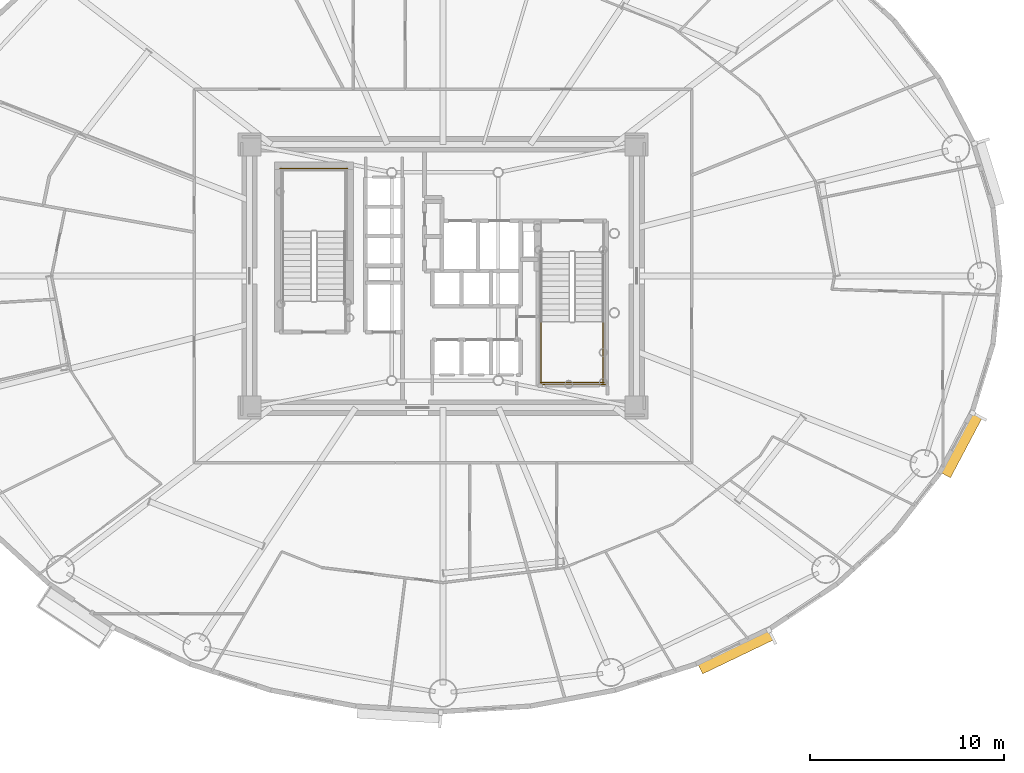
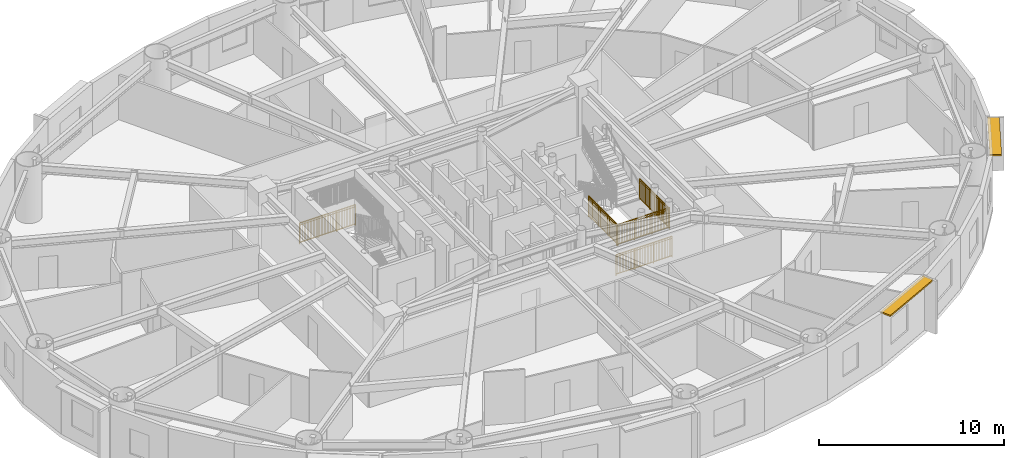
# One storey, part 20 of 22: 5 railings, 2 shading devices.
"""IFC4 building model written with IfcOpenShell, lengths in metres."""

from ifc_helpers import new_model, si_unit, direction, frame, origin, origin_2d, place, context, subcontext, project, spatial, rectangle, extrude, source, transform, mapped, material, layer, layer_set, type_object, element, save


model = new_model("IFC4")

# Units and contexts
model_context = context("Model", 3, precision=1e-05, world=origin(), true_north=direction((0.0, 1.0)))
body_context = subcontext(model_context, "Body", "Model", "MODEL_VIEW")
ifc_project = project(units=[si_unit("LENGTHUNIT", "METRE"), si_unit("AREAUNIT", "SQUARE_METRE"), si_unit("VOLUMEUNIT", "CUBIC_METRE"), si_unit("PLANEANGLEUNIT", "RADIAN"), si_unit("MASSUNIT", "GRAM", prefix="KILO")], contexts=[model_context])

# Site, building, storey
site_placement = place(None, origin())
site = spatial("IfcSite", under=ifc_project, at=site_placement, CompositionType="ELEMENT")
building_placement = place(site_placement, origin())
building = spatial("IfcBuilding", under=site, at=building_placement, Name="Linh Dai School and Residence Tower", CompositionType="ELEMENT")
storey_placement = place(building_placement, frame((0.0, 0.0, 130.949951171875)))
storey = spatial("IfcBuildingStorey", under=building, at=storey_placement, Name="L31", CompositionType="ELEMENT", Elevation=130.949951171875)

# Shading devices
ifc_material_1 = material(Name="Terracotta Ceramic Sunshade", Category="masonry")
ifc_layer = layer(ifc_material_1, 0.10009765625)
ifc_layer_set = layer_set([ifc_layer], Name="Terracotta Ceramic Sunshade")
shading_device_type = type_object("IfcShadingDeviceType", Name="SHD-TC-650", PredefinedType="USERDEFINED", material=ifc_layer_set)
shared_shape_1 = source(origin(), body_context, "Body", "SweptSolid", [
    extrude(rectangle(XDim=4.1005859375, YDim=0.64990234375, at=origin_2d()), origin(), (0.0, 0.0, 1.0), 0.10009765625),
])
shading_device_1_placement = place(storey_placement, frame((51.122802734375, 7.61962890625, 3.3798828125), z_axis=(0.0, 0.0, 1.0), x_axis=(-0.901577518371, -0.432617589064, 0.0)))
element("IfcShadingDevice", 1, at=shading_device_1_placement, inside=storey, type_object=shading_device_type, Name="L31 Terracotta Horizontal Sunshade Band 34", ObjectType="SUNSHADE", PredefinedType="USERDEFINED", context=body_context, shape_type="MappedRepresentation", body=[
    mapped(shared_shape_1, transform((0.0, 0.0, 0.0), x_axis=(1.0, 0.0, 0.0), y_axis=(0.0, 1.0, 0.0), z_axis=(0.0, 0.0, 1.0), scale=1.0)),
])
shared_shape_2 = source(origin(), body_context, "Body", "SweptSolid", [
    extrude(rectangle(XDim=3.541015625, YDim=0.64990234375, at=origin_2d()), origin(), (0.0, 0.0, 1.0), 0.10009765625),
])
shading_device_2_placement = place(storey_placement, frame((62.759521484375, 18.291259765625, 3.3798828125), z_axis=(0.0, 0.0, 1.0), x_axis=(-0.467596217252, -0.883942180016, 0.0)))
element("IfcShadingDevice", 2, at=shading_device_2_placement, inside=storey, type_object=shading_device_type, Name="L31 Terracotta Horizontal Sunshade Band 38", ObjectType="SUNSHADE", PredefinedType="USERDEFINED", context=body_context, shape_type="MappedRepresentation", body=[
    mapped(shared_shape_2, transform((0.0, 0.0, 0.0), x_axis=(1.0, 0.0, 0.0), y_axis=(0.0, 1.0, 0.0), z_axis=(0.0, 0.0, 1.0), scale=1.0)),
])

# Railings
ifc_material_2 = material(Name="Structural Steel S355JR", Category="steel")
railing_type = type_object("IfcRailingType", Name="RL-ST-GUARD-1400", PredefinedType="GUARDRAIL", material=ifc_material_2)
shared_shape_3 = source(origin(), body_context, "Body", "SweptSolid", [
    extrude(rectangle(XDim=0.048095703125, YDim=0.048095703125, at=origin_2d()), frame((0.0, 0.0, 1.3759765625), z_axis=(-1.0, 0.0, 0.0), x_axis=(0.0, -1.0, 0.0)), (0.0, 0.0, 1.0), 3.5),
    extrude(rectangle(XDim=0.048095703125, YDim=0.048095703125, at=origin_2d()), frame((0.0, 0.0, 0.10009765625), z_axis=(-1.0, 0.0, 0.0), x_axis=(0.0, -1.0, 0.0)), (0.0, 0.0, 1.0), 3.5),
    extrude(rectangle(XDim=0.030029296875, YDim=0.030029296875, at=origin_2d()), frame((0.0, 0.0, 1.239990234375), z_axis=(-1.0, 0.0, 0.0), x_axis=(0.0, -1.0, 0.0)), (0.0, 0.0, 1.0), 3.5),
    extrude(rectangle(XDim=0.02001953125, YDim=0.02001953125, at=origin_2d()), frame((-0.09716796875, 0.0, 0.10009765625)), (0.0, 0.0, 1.0), 1.251708984375),
    extrude(rectangle(XDim=0.02001953125, YDim=0.02001953125, at=origin_2d()), frame((-0.1943359375, 0.0, 0.10009765625)), (0.0, 0.0, 1.0), 1.251708984375),
    extrude(rectangle(XDim=0.02001953125, YDim=0.02001953125, at=origin_2d()), frame((-0.291748046875, 0.0, 0.10009765625)), (0.0, 0.0, 1.0), 1.251708984375),
    extrude(rectangle(XDim=0.02001953125, YDim=0.02001953125, at=origin_2d()), frame((-0.388916015625, 0.0, 0.10009765625)), (0.0, 0.0, 1.0), 1.251708984375),
    extrude(rectangle(XDim=0.02001953125, YDim=0.02001953125, at=origin_2d()), frame((-0.486083984375, 0.0, 0.10009765625)), (0.0, 0.0, 1.0), 1.251708984375),
    extrude(rectangle(XDim=0.02001953125, YDim=0.02001953125, at=origin_2d()), frame((-0.583251953125, 0.0, 0.10009765625)), (0.0, 0.0, 1.0), 1.251708984375),
    extrude(rectangle(XDim=0.02001953125, YDim=0.02001953125, at=origin_2d()), frame((-0.6806640625, 0.0, 0.10009765625)), (0.0, 0.0, 1.0), 1.251708984375),
    extrude(rectangle(XDim=0.02001953125, YDim=0.02001953125, at=origin_2d()), frame((-0.77783203125, 0.0, 0.10009765625)), (0.0, 0.0, 1.0), 1.251708984375),
    extrude(rectangle(XDim=0.02001953125, YDim=0.02001953125, at=origin_2d()), frame((-0.875, 0.0, 0.10009765625)), (0.0, 0.0, 1.0), 1.251708984375),
    extrude(rectangle(XDim=0.02001953125, YDim=0.02001953125, at=origin_2d()), frame((-0.97216796875, 0.0, 0.10009765625)), (0.0, 0.0, 1.0), 1.251708984375),
    extrude(rectangle(XDim=0.02001953125, YDim=0.02001953125, at=origin_2d()), frame((-1.0693359375, 0.0, 0.10009765625)), (0.0, 0.0, 1.0), 1.251708984375),
    extrude(rectangle(XDim=0.02001953125, YDim=0.02001953125, at=origin_2d()), frame((-1.263916015625, 0.0, 0.10009765625)), (0.0, 0.0, 1.0), 1.251708984375),
    extrude(rectangle(XDim=0.02001953125, YDim=0.02001953125, at=origin_2d()), frame((-1.361083984375, 0.0, 0.10009765625)), (0.0, 0.0, 1.0), 1.251708984375),
    extrude(rectangle(XDim=0.02001953125, YDim=0.02001953125, at=origin_2d()), frame((-1.458251953125, 0.0, 0.10009765625)), (0.0, 0.0, 1.0), 1.251708984375),
    extrude(rectangle(XDim=0.02001953125, YDim=0.02001953125, at=origin_2d()), frame((-1.5556640625, 0.0, 0.10009765625)), (0.0, 0.0, 1.0), 1.251708984375),
    extrude(rectangle(XDim=0.02001953125, YDim=0.02001953125, at=origin_2d()), frame((-1.65283203125, 0.0, 0.10009765625)), (0.0, 0.0, 1.0), 1.251708984375),
    extrude(rectangle(XDim=0.02001953125, YDim=0.02001953125, at=origin_2d()), frame((-1.75, 0.0, 0.10009765625)), (0.0, 0.0, 1.0), 1.251708984375),
    extrude(rectangle(XDim=0.02001953125, YDim=0.02001953125, at=origin_2d()), frame((-1.84716796875, 0.0, 0.10009765625)), (0.0, 0.0, 1.0), 1.251708984375),
    extrude(rectangle(XDim=0.02001953125, YDim=0.02001953125, at=origin_2d()), frame((-1.9443359375, 0.0, 0.10009765625)), (0.0, 0.0, 1.0), 1.251708984375),
    extrude(rectangle(XDim=0.02001953125, YDim=0.02001953125, at=origin_2d()), frame((-2.041748046875, 0.0, 0.10009765625)), (0.0, 0.0, 1.0), 1.251708984375),
    extrude(rectangle(XDim=0.02001953125, YDim=0.02001953125, at=origin_2d()), frame((-2.138916015625, 0.0, 0.10009765625)), (0.0, 0.0, 1.0), 1.251708984375),
    extrude(rectangle(XDim=0.02001953125, YDim=0.02001953125, at=origin_2d()), frame((-2.236083984375, 0.0, 0.10009765625)), (0.0, 0.0, 1.0), 1.251708984375),
    extrude(rectangle(XDim=0.02001953125, YDim=0.02001953125, at=origin_2d()), frame((-2.4306640625, 0.0, 0.10009765625)), (0.0, 0.0, 1.0), 1.251708984375),
    extrude(rectangle(XDim=0.02001953125, YDim=0.02001953125, at=origin_2d()), frame((-2.52783203125, 0.0, 0.10009765625)), (0.0, 0.0, 1.0), 1.251708984375),
    extrude(rectangle(XDim=0.02001953125, YDim=0.02001953125, at=origin_2d()), frame((-2.625, 0.0, 0.10009765625)), (0.0, 0.0, 1.0), 1.251708984375),
    extrude(rectangle(XDim=0.02001953125, YDim=0.02001953125, at=origin_2d()), frame((-2.72216796875, 0.0, 0.10009765625)), (0.0, 0.0, 1.0), 1.251708984375),
    extrude(rectangle(XDim=0.02001953125, YDim=0.02001953125, at=origin_2d()), frame((-2.8193359375, 0.0, 0.10009765625)), (0.0, 0.0, 1.0), 1.251708984375),
    extrude(rectangle(XDim=0.02001953125, YDim=0.02001953125, at=origin_2d()), frame((-2.916748046875, 0.0, 0.10009765625)), (0.0, 0.0, 1.0), 1.251708984375),
    extrude(rectangle(XDim=0.02001953125, YDim=0.02001953125, at=origin_2d()), frame((-3.013916015625, 0.0, 0.10009765625)), (0.0, 0.0, 1.0), 1.251708984375),
    extrude(rectangle(XDim=0.02001953125, YDim=0.02001953125, at=origin_2d()), frame((-3.111083984375, 0.0, 0.10009765625)), (0.0, 0.0, 1.0), 1.251708984375),
    extrude(rectangle(XDim=0.02001953125, YDim=0.02001953125, at=origin_2d()), frame((-3.208251953125, 0.0, 0.10009765625)), (0.0, 0.0, 1.0), 1.251708984375),
    extrude(rectangle(XDim=0.02001953125, YDim=0.02001953125, at=origin_2d()), frame((-3.3056640625, 0.0, 0.10009765625)), (0.0, 0.0, 1.0), 1.251708984375),
    extrude(rectangle(XDim=0.02001953125, YDim=0.02001953125, at=origin_2d()), frame((-3.40283203125, 0.0, 0.10009765625)), (0.0, 0.0, 1.0), 1.251708984375),
    extrude(rectangle(XDim=0.0419921875, YDim=0.0419921875, at=origin_2d()), origin(), (0.0, 0.0, 1.0), 1.3759765625),
    extrude(rectangle(XDim=0.0419921875, YDim=0.0419921875, at=origin_2d()), frame((-1.166748046875, 0.0, 0.0)), (0.0, 0.0, 1.0), 1.3759765625),
    extrude(rectangle(XDim=0.0419921875, YDim=0.0419921875, at=origin_2d()), frame((-2.333251953125, 0.0, 0.0)), (0.0, 0.0, 1.0), 1.3759765625),
    extrude(rectangle(XDim=0.0419921875, YDim=0.0419921875, at=origin_2d()), frame((-3.5, 0.0, 0.0)), (0.0, 0.0, 1.0), 1.3759765625),
])
railing_1_placement = place(storey_placement, frame((31.080078125, 32.550048828125, 0.0)))
element("IfcRailing", 3, at=railing_1_placement, inside=storey, type_object=railing_type, Name="L31 ST1 stair guard 12", PredefinedType="GUARDRAIL", context=body_context, shape_type="MappedRepresentation", body=[
    mapped(shared_shape_3, transform((0.0, 0.0, 0.0), x_axis=(1.0, 0.0, 0.0), y_axis=(0.0, 1.0, 0.0), z_axis=(0.0, 0.0, 1.0), scale=1.0)),
])
shared_shape_4 = source(origin(), body_context, "Body", "SweptSolid", [
    extrude(rectangle(XDim=0.048095703125, YDim=0.048095703125, at=origin_2d()), frame((0.0, 0.0, 1.3759765625), z_axis=(1.0, 0.0, 0.0), x_axis=(0.0, 1.0, 0.0)), (0.0, 0.0, 1.0), 3.300048828125),
    extrude(rectangle(XDim=0.048095703125, YDim=0.048095703125, at=origin_2d()), frame((0.0, 0.0, 0.10009765625), z_axis=(1.0, 0.0, 0.0), x_axis=(0.0, 1.0, 0.0)), (0.0, 0.0, 1.0), 3.300048828125),
    extrude(rectangle(XDim=0.030029296875, YDim=0.030029296875, at=origin_2d()), frame((0.0, 0.0, 1.239990234375), z_axis=(1.0, 0.0, 0.0), x_axis=(0.0, 1.0, 0.0)), (0.0, 0.0, 1.0), 3.300048828125),
    extrude(rectangle(XDim=0.02001953125, YDim=0.02001953125, at=origin_2d()), frame((0.09716796875, 0.0, 0.10009765625)), (0.0, 0.0, 1.0), 1.251708984375),
    extrude(rectangle(XDim=0.02001953125, YDim=0.02001953125, at=origin_2d()), frame((0.194091796875, 0.0, 0.10009765625)), (0.0, 0.0, 1.0), 1.251708984375),
    extrude(rectangle(XDim=0.02001953125, YDim=0.02001953125, at=origin_2d()), frame((0.291259765625, 0.0, 0.10009765625)), (0.0, 0.0, 1.0), 1.251708984375),
    extrude(rectangle(XDim=0.02001953125, YDim=0.02001953125, at=origin_2d()), frame((0.38818359375, 0.0, 0.10009765625)), (0.0, 0.0, 1.0), 1.251708984375),
    extrude(rectangle(XDim=0.02001953125, YDim=0.02001953125, at=origin_2d()), frame((0.4853515625, 0.0, 0.10009765625)), (0.0, 0.0, 1.0), 1.251708984375),
    extrude(rectangle(XDim=0.02001953125, YDim=0.02001953125, at=origin_2d()), frame((0.582275390625, 0.0, 0.10009765625)), (0.0, 0.0, 1.0), 1.251708984375),
    extrude(rectangle(XDim=0.02001953125, YDim=0.02001953125, at=origin_2d()), frame((0.679443359375, 0.0, 0.10009765625)), (0.0, 0.0, 1.0), 1.251708984375),
    extrude(rectangle(XDim=0.02001953125, YDim=0.02001953125, at=origin_2d()), frame((0.7763671875, 0.0, 0.10009765625)), (0.0, 0.0, 1.0), 1.251708984375),
    extrude(rectangle(XDim=0.02001953125, YDim=0.02001953125, at=origin_2d()), frame((0.87353515625, 0.0, 0.10009765625)), (0.0, 0.0, 1.0), 1.251708984375),
    extrude(rectangle(XDim=0.02001953125, YDim=0.02001953125, at=origin_2d()), frame((0.970703125, 0.0, 0.10009765625)), (0.0, 0.0, 1.0), 1.251708984375),
    extrude(rectangle(XDim=0.02001953125, YDim=0.02001953125, at=origin_2d()), frame((1.164794921875, 0.0, 0.10009765625)), (0.0, 0.0, 1.0), 1.251708984375),
    extrude(rectangle(XDim=0.02001953125, YDim=0.02001953125, at=origin_2d()), frame((1.26171875, 0.0, 0.10009765625)), (0.0, 0.0, 1.0), 1.251708984375),
    extrude(rectangle(XDim=0.02001953125, YDim=0.02001953125, at=origin_2d()), frame((1.35888671875, 0.0, 0.10009765625)), (0.0, 0.0, 1.0), 1.251708984375),
    extrude(rectangle(XDim=0.02001953125, YDim=0.02001953125, at=origin_2d()), frame((1.455810546875, 0.0, 0.10009765625)), (0.0, 0.0, 1.0), 1.251708984375),
    extrude(rectangle(XDim=0.02001953125, YDim=0.02001953125, at=origin_2d()), frame((1.552978515625, 0.0, 0.10009765625)), (0.0, 0.0, 1.0), 1.251708984375),
    extrude(rectangle(XDim=0.02001953125, YDim=0.02001953125, at=origin_2d()), frame((1.64990234375, 0.0, 0.10009765625)), (0.0, 0.0, 1.0), 1.251708984375),
    extrude(rectangle(XDim=0.02001953125, YDim=0.02001953125, at=origin_2d()), frame((1.7470703125, 0.0, 0.10009765625)), (0.0, 0.0, 1.0), 1.251708984375),
    extrude(rectangle(XDim=0.02001953125, YDim=0.02001953125, at=origin_2d()), frame((1.84423828125, 0.0, 0.10009765625)), (0.0, 0.0, 1.0), 1.251708984375),
    extrude(rectangle(XDim=0.02001953125, YDim=0.02001953125, at=origin_2d()), frame((1.941162109375, 0.0, 0.10009765625)), (0.0, 0.0, 1.0), 1.251708984375),
    extrude(rectangle(XDim=0.02001953125, YDim=0.02001953125, at=origin_2d()), frame((2.038330078125, 0.0, 0.10009765625)), (0.0, 0.0, 1.0), 1.251708984375),
    extrude(rectangle(XDim=0.02001953125, YDim=0.02001953125, at=origin_2d()), frame((2.13525390625, 0.0, 0.10009765625)), (0.0, 0.0, 1.0), 1.251708984375),
    extrude(rectangle(XDim=0.02001953125, YDim=0.02001953125, at=origin_2d()), frame((2.329345703125, 0.0, 0.10009765625)), (0.0, 0.0, 1.0), 1.251708984375),
    extrude(rectangle(XDim=0.02001953125, YDim=0.02001953125, at=origin_2d()), frame((2.426513671875, 0.0, 0.10009765625)), (0.0, 0.0, 1.0), 1.251708984375),
    extrude(rectangle(XDim=0.02001953125, YDim=0.02001953125, at=origin_2d()), frame((2.523681640625, 0.0, 0.10009765625)), (0.0, 0.0, 1.0), 1.251708984375),
    extrude(rectangle(XDim=0.02001953125, YDim=0.02001953125, at=origin_2d()), frame((2.62060546875, 0.0, 0.10009765625)), (0.0, 0.0, 1.0), 1.251708984375),
    extrude(rectangle(XDim=0.02001953125, YDim=0.02001953125, at=origin_2d()), frame((2.7177734375, 0.0, 0.10009765625)), (0.0, 0.0, 1.0), 1.251708984375),
    extrude(rectangle(XDim=0.02001953125, YDim=0.02001953125, at=origin_2d()), frame((2.814697265625, 0.0, 0.10009765625)), (0.0, 0.0, 1.0), 1.251708984375),
    extrude(rectangle(XDim=0.02001953125, YDim=0.02001953125, at=origin_2d()), frame((2.911865234375, 0.0, 0.10009765625)), (0.0, 0.0, 1.0), 1.251708984375),
    extrude(rectangle(XDim=0.02001953125, YDim=0.02001953125, at=origin_2d()), frame((3.0087890625, 0.0, 0.10009765625)), (0.0, 0.0, 1.0), 1.251708984375),
    extrude(rectangle(XDim=0.02001953125, YDim=0.02001953125, at=origin_2d()), frame((3.10595703125, 0.0, 0.10009765625)), (0.0, 0.0, 1.0), 1.251708984375),
    extrude(rectangle(XDim=0.02001953125, YDim=0.02001953125, at=origin_2d()), frame((3.202880859375, 0.0, 0.10009765625)), (0.0, 0.0, 1.0), 1.251708984375),
    extrude(rectangle(XDim=0.0419921875, YDim=0.0419921875, at=origin_2d()), origin(), (0.0, 0.0, 1.0), 1.3759765625),
    extrude(rectangle(XDim=0.0419921875, YDim=0.0419921875, at=origin_2d()), frame((1.10009765625, 0.0, 0.0)), (0.0, 0.0, 1.0), 1.3759765625),
    extrude(rectangle(XDim=0.0419921875, YDim=0.0419921875, at=origin_2d()), frame((2.199951171875, 0.0, 0.0)), (0.0, 0.0, 1.0), 1.3759765625),
    extrude(rectangle(XDim=0.0419921875, YDim=0.0419921875, at=origin_2d()), frame((3.300048828125, 0.0, 0.0)), (0.0, 0.0, 1.0), 1.3759765625),
])
railing_2_placement = place(storey_placement, frame((41.02001953125, 21.5, 1.875)))
element("IfcRailing", 4, at=railing_2_placement, inside=storey, type_object=railing_type, Name="L31 ST2 stair guard 5", PredefinedType="GUARDRAIL", context=body_context, shape_type="MappedRepresentation", body=[
    mapped(shared_shape_4, transform((0.0, 0.0, 0.0), x_axis=(1.0, 0.0, 0.0), y_axis=(0.0, 1.0, 0.0), z_axis=(0.0, 0.0, 1.0), scale=1.0)),
])
shared_shape_5 = source(origin(), body_context, "Body", "SweptSolid", [
    extrude(rectangle(XDim=0.048095703125, YDim=0.048095703125, at=origin_2d()), frame((0.0, 0.0, 1.3759765625), z_axis=(1.0, 0.0, 0.0), x_axis=(0.0, 1.0, 0.0)), (0.0, 0.0, 1.0), 3.5),
    extrude(rectangle(XDim=0.048095703125, YDim=0.048095703125, at=origin_2d()), frame((0.0, 0.0, 0.10009765625), z_axis=(1.0, 0.0, 0.0), x_axis=(0.0, 1.0, 0.0)), (0.0, 0.0, 1.0), 3.5),
    extrude(rectangle(XDim=0.030029296875, YDim=0.030029296875, at=origin_2d()), frame((0.0, 0.0, 1.239990234375), z_axis=(1.0, 0.0, 0.0), x_axis=(0.0, 1.0, 0.0)), (0.0, 0.0, 1.0), 3.5),
    extrude(rectangle(XDim=0.02001953125, YDim=0.02001953125, at=origin_2d()), frame((0.09716796875, 0.0, 0.10009765625)), (0.0, 0.0, 1.0), 1.251708984375),
    extrude(rectangle(XDim=0.02001953125, YDim=0.02001953125, at=origin_2d()), frame((0.1943359375, 0.0, 0.10009765625)), (0.0, 0.0, 1.0), 1.251708984375),
    extrude(rectangle(XDim=0.02001953125, YDim=0.02001953125, at=origin_2d()), frame((0.291748046875, 0.0, 0.10009765625)), (0.0, 0.0, 1.0), 1.251708984375),
    extrude(rectangle(XDim=0.02001953125, YDim=0.02001953125, at=origin_2d()), frame((0.388916015625, 0.0, 0.10009765625)), (0.0, 0.0, 1.0), 1.251708984375),
    extrude(rectangle(XDim=0.02001953125, YDim=0.02001953125, at=origin_2d()), frame((0.486083984375, 0.0, 0.10009765625)), (0.0, 0.0, 1.0), 1.251708984375),
    extrude(rectangle(XDim=0.02001953125, YDim=0.02001953125, at=origin_2d()), frame((0.583251953125, 0.0, 0.10009765625)), (0.0, 0.0, 1.0), 1.251708984375),
    extrude(rectangle(XDim=0.02001953125, YDim=0.02001953125, at=origin_2d()), frame((0.6806640625, 0.0, 0.10009765625)), (0.0, 0.0, 1.0), 1.251708984375),
    extrude(rectangle(XDim=0.02001953125, YDim=0.02001953125, at=origin_2d()), frame((0.77783203125, 0.0, 0.10009765625)), (0.0, 0.0, 1.0), 1.251708984375),
    extrude(rectangle(XDim=0.02001953125, YDim=0.02001953125, at=origin_2d()), frame((0.875, 0.0, 0.10009765625)), (0.0, 0.0, 1.0), 1.251708984375),
    extrude(rectangle(XDim=0.02001953125, YDim=0.02001953125, at=origin_2d()), frame((0.97216796875, 0.0, 0.10009765625)), (0.0, 0.0, 1.0), 1.251708984375),
    extrude(rectangle(XDim=0.02001953125, YDim=0.02001953125, at=origin_2d()), frame((1.0693359375, 0.0, 0.10009765625)), (0.0, 0.0, 1.0), 1.251708984375),
    extrude(rectangle(XDim=0.02001953125, YDim=0.02001953125, at=origin_2d()), frame((1.263916015625, 0.0, 0.10009765625)), (0.0, 0.0, 1.0), 1.251708984375),
    extrude(rectangle(XDim=0.02001953125, YDim=0.02001953125, at=origin_2d()), frame((1.361083984375, 0.0, 0.10009765625)), (0.0, 0.0, 1.0), 1.251708984375),
    extrude(rectangle(XDim=0.02001953125, YDim=0.02001953125, at=origin_2d()), frame((1.458251953125, 0.0, 0.10009765625)), (0.0, 0.0, 1.0), 1.251708984375),
    extrude(rectangle(XDim=0.02001953125, YDim=0.02001953125, at=origin_2d()), frame((1.5556640625, 0.0, 0.10009765625)), (0.0, 0.0, 1.0), 1.251708984375),
    extrude(rectangle(XDim=0.02001953125, YDim=0.02001953125, at=origin_2d()), frame((1.65283203125, 0.0, 0.10009765625)), (0.0, 0.0, 1.0), 1.251708984375),
    extrude(rectangle(XDim=0.02001953125, YDim=0.02001953125, at=origin_2d()), frame((1.75, 0.0, 0.10009765625)), (0.0, 0.0, 1.0), 1.251708984375),
    extrude(rectangle(XDim=0.02001953125, YDim=0.02001953125, at=origin_2d()), frame((1.84716796875, 0.0, 0.10009765625)), (0.0, 0.0, 1.0), 1.251708984375),
    extrude(rectangle(XDim=0.02001953125, YDim=0.02001953125, at=origin_2d()), frame((1.9443359375, 0.0, 0.10009765625)), (0.0, 0.0, 1.0), 1.251708984375),
    extrude(rectangle(XDim=0.02001953125, YDim=0.02001953125, at=origin_2d()), frame((2.041748046875, 0.0, 0.10009765625)), (0.0, 0.0, 1.0), 1.251708984375),
    extrude(rectangle(XDim=0.02001953125, YDim=0.02001953125, at=origin_2d()), frame((2.138916015625, 0.0, 0.10009765625)), (0.0, 0.0, 1.0), 1.251708984375),
    extrude(rectangle(XDim=0.02001953125, YDim=0.02001953125, at=origin_2d()), frame((2.236083984375, 0.0, 0.10009765625)), (0.0, 0.0, 1.0), 1.251708984375),
    extrude(rectangle(XDim=0.02001953125, YDim=0.02001953125, at=origin_2d()), frame((2.4306640625, 0.0, 0.10009765625)), (0.0, 0.0, 1.0), 1.251708984375),
    extrude(rectangle(XDim=0.02001953125, YDim=0.02001953125, at=origin_2d()), frame((2.52783203125, 0.0, 0.10009765625)), (0.0, 0.0, 1.0), 1.251708984375),
    extrude(rectangle(XDim=0.02001953125, YDim=0.02001953125, at=origin_2d()), frame((2.625, 0.0, 0.10009765625)), (0.0, 0.0, 1.0), 1.251708984375),
    extrude(rectangle(XDim=0.02001953125, YDim=0.02001953125, at=origin_2d()), frame((2.72216796875, 0.0, 0.10009765625)), (0.0, 0.0, 1.0), 1.251708984375),
    extrude(rectangle(XDim=0.02001953125, YDim=0.02001953125, at=origin_2d()), frame((2.8193359375, 0.0, 0.10009765625)), (0.0, 0.0, 1.0), 1.251708984375),
    extrude(rectangle(XDim=0.02001953125, YDim=0.02001953125, at=origin_2d()), frame((2.916748046875, 0.0, 0.10009765625)), (0.0, 0.0, 1.0), 1.251708984375),
    extrude(rectangle(XDim=0.02001953125, YDim=0.02001953125, at=origin_2d()), frame((3.013916015625, 0.0, 0.10009765625)), (0.0, 0.0, 1.0), 1.251708984375),
    extrude(rectangle(XDim=0.02001953125, YDim=0.02001953125, at=origin_2d()), frame((3.111083984375, 0.0, 0.10009765625)), (0.0, 0.0, 1.0), 1.251708984375),
    extrude(rectangle(XDim=0.02001953125, YDim=0.02001953125, at=origin_2d()), frame((3.208251953125, 0.0, 0.10009765625)), (0.0, 0.0, 1.0), 1.251708984375),
    extrude(rectangle(XDim=0.02001953125, YDim=0.02001953125, at=origin_2d()), frame((3.3056640625, 0.0, 0.10009765625)), (0.0, 0.0, 1.0), 1.251708984375),
    extrude(rectangle(XDim=0.02001953125, YDim=0.02001953125, at=origin_2d()), frame((3.40283203125, 0.0, 0.10009765625)), (0.0, 0.0, 1.0), 1.251708984375),
    extrude(rectangle(XDim=0.0419921875, YDim=0.0419921875, at=origin_2d()), origin(), (0.0, 0.0, 1.0), 1.3759765625),
    extrude(rectangle(XDim=0.0419921875, YDim=0.0419921875, at=origin_2d()), frame((1.166748046875, 0.0, 0.0)), (0.0, 0.0, 1.0), 1.3759765625),
    extrude(rectangle(XDim=0.0419921875, YDim=0.0419921875, at=origin_2d()), frame((2.333251953125, 0.0, 0.0)), (0.0, 0.0, 1.0), 1.3759765625),
    extrude(rectangle(XDim=0.0419921875, YDim=0.0419921875, at=origin_2d()), frame((3.5, 0.0, 0.0)), (0.0, 0.0, 1.0), 1.3759765625),
])
railing_3_placement = place(storey_placement, frame((40.919921875, 21.39990234375, 0.0)))
element("IfcRailing", 5, at=railing_3_placement, inside=storey, type_object=railing_type, Name="L31 ST2 stair guard 12", PredefinedType="GUARDRAIL", context=body_context, shape_type="MappedRepresentation", body=[
    mapped(shared_shape_5, transform((0.0, 0.0, 0.0), x_axis=(1.0, 0.0, 0.0), y_axis=(0.0, 1.0, 0.0), z_axis=(0.0, 0.0, 1.0), scale=1.0)),
])
shared_shape_6 = source(origin(), body_context, "Body", "SweptSolid", [
    extrude(rectangle(XDim=0.048095703125, YDim=0.048095703125, at=origin_2d()), frame((0.0, 0.0, 1.3759765625), z_axis=(0.0, -1.0, 0.0), x_axis=(1.0, 0.0, 0.0)), (0.0, 0.0, 1.0), 3.199951171875),
    extrude(rectangle(XDim=0.048095703125, YDim=0.048095703125, at=origin_2d()), frame((0.0, 0.0, 0.10009765625), z_axis=(0.0, -1.0, 0.0), x_axis=(1.0, 0.0, 0.0)), (0.0, 0.0, 1.0), 3.199951171875),
    extrude(rectangle(XDim=0.030029296875, YDim=0.030029296875, at=origin_2d()), frame((0.0, 0.0, 1.239990234375), z_axis=(0.0, -1.0, 0.0), x_axis=(1.0, 0.0, 0.0)), (0.0, 0.0, 1.0), 3.199951171875),
    extrude(rectangle(XDim=0.02001953125, YDim=0.02001953125, at=origin_2d()), frame((0.0, -0.096923828125, 0.10009765625)), (0.0, 0.0, 1.0), 1.251708984375),
    extrude(rectangle(XDim=0.02001953125, YDim=0.02001953125, at=origin_2d()), frame((0.0, -0.19384765625, 0.10009765625)), (0.0, 0.0, 1.0), 1.251708984375),
    extrude(rectangle(XDim=0.02001953125, YDim=0.02001953125, at=origin_2d()), frame((0.0, -0.291015625, 0.10009765625)), (0.0, 0.0, 1.0), 1.251708984375),
    extrude(rectangle(XDim=0.02001953125, YDim=0.02001953125, at=origin_2d()), frame((0.0, -0.387939453125, 0.10009765625)), (0.0, 0.0, 1.0), 1.251708984375),
    extrude(rectangle(XDim=0.02001953125, YDim=0.02001953125, at=origin_2d()), frame((0.0, -0.48486328125, 0.10009765625)), (0.0, 0.0, 1.0), 1.251708984375),
    extrude(rectangle(XDim=0.02001953125, YDim=0.02001953125, at=origin_2d()), frame((0.0, -0.581787109375, 0.10009765625)), (0.0, 0.0, 1.0), 1.251708984375),
    extrude(rectangle(XDim=0.02001953125, YDim=0.02001953125, at=origin_2d()), frame((0.0, -0.6787109375, 0.10009765625)), (0.0, 0.0, 1.0), 1.251708984375),
    extrude(rectangle(XDim=0.02001953125, YDim=0.02001953125, at=origin_2d()), frame((0.0, -0.775634765625, 0.10009765625)), (0.0, 0.0, 1.0), 1.251708984375),
    extrude(rectangle(XDim=0.02001953125, YDim=0.02001953125, at=origin_2d()), frame((0.0, -0.872802734375, 0.10009765625)), (0.0, 0.0, 1.0), 1.251708984375),
    extrude(rectangle(XDim=0.02001953125, YDim=0.02001953125, at=origin_2d()), frame((0.0, -0.9697265625, 0.10009765625)), (0.0, 0.0, 1.0), 1.251708984375),
    extrude(rectangle(XDim=0.02001953125, YDim=0.02001953125, at=origin_2d()), frame((0.0, -1.16357421875, 0.10009765625)), (0.0, 0.0, 1.0), 1.251708984375),
    extrude(rectangle(XDim=0.02001953125, YDim=0.02001953125, at=origin_2d()), frame((0.0, -1.260498046875, 0.10009765625)), (0.0, 0.0, 1.0), 1.251708984375),
    extrude(rectangle(XDim=0.02001953125, YDim=0.02001953125, at=origin_2d()), frame((0.0, -1.357666015625, 0.10009765625)), (0.0, 0.0, 1.0), 1.251708984375),
    extrude(rectangle(XDim=0.02001953125, YDim=0.02001953125, at=origin_2d()), frame((0.0, -1.45458984375, 0.10009765625)), (0.0, 0.0, 1.0), 1.251708984375),
    extrude(rectangle(XDim=0.02001953125, YDim=0.02001953125, at=origin_2d()), frame((0.0, -1.551513671875, 0.10009765625)), (0.0, 0.0, 1.0), 1.251708984375),
    extrude(rectangle(XDim=0.02001953125, YDim=0.02001953125, at=origin_2d()), frame((0.0, -1.6484375, 0.10009765625)), (0.0, 0.0, 1.0), 1.251708984375),
    extrude(rectangle(XDim=0.02001953125, YDim=0.02001953125, at=origin_2d()), frame((0.0, -1.745361328125, 0.10009765625)), (0.0, 0.0, 1.0), 1.251708984375),
    extrude(rectangle(XDim=0.02001953125, YDim=0.02001953125, at=origin_2d()), frame((0.0, -1.84228515625, 0.10009765625)), (0.0, 0.0, 1.0), 1.251708984375),
    extrude(rectangle(XDim=0.02001953125, YDim=0.02001953125, at=origin_2d()), frame((0.0, -1.939453125, 0.10009765625)), (0.0, 0.0, 1.0), 1.251708984375),
    extrude(rectangle(XDim=0.02001953125, YDim=0.02001953125, at=origin_2d()), frame((0.0, -2.036376953125, 0.10009765625)), (0.0, 0.0, 1.0), 1.251708984375),
    extrude(rectangle(XDim=0.02001953125, YDim=0.02001953125, at=origin_2d()), frame((0.0, -2.230224609375, 0.10009765625)), (0.0, 0.0, 1.0), 1.251708984375),
    extrude(rectangle(XDim=0.02001953125, YDim=0.02001953125, at=origin_2d()), frame((0.0, -2.3271484375, 0.10009765625)), (0.0, 0.0, 1.0), 1.251708984375),
    extrude(rectangle(XDim=0.02001953125, YDim=0.02001953125, at=origin_2d()), frame((0.0, -2.42431640625, 0.10009765625)), (0.0, 0.0, 1.0), 1.251708984375),
    extrude(rectangle(XDim=0.02001953125, YDim=0.02001953125, at=origin_2d()), frame((0.0, -2.521240234375, 0.10009765625)), (0.0, 0.0, 1.0), 1.251708984375),
    extrude(rectangle(XDim=0.02001953125, YDim=0.02001953125, at=origin_2d()), frame((0.0, -2.6181640625, 0.10009765625)), (0.0, 0.0, 1.0), 1.251708984375),
    extrude(rectangle(XDim=0.02001953125, YDim=0.02001953125, at=origin_2d()), frame((0.0, -2.715087890625, 0.10009765625)), (0.0, 0.0, 1.0), 1.251708984375),
    extrude(rectangle(XDim=0.02001953125, YDim=0.02001953125, at=origin_2d()), frame((0.0, -2.81201171875, 0.10009765625)), (0.0, 0.0, 1.0), 1.251708984375),
    extrude(rectangle(XDim=0.02001953125, YDim=0.02001953125, at=origin_2d()), frame((0.0, -2.908935546875, 0.10009765625)), (0.0, 0.0, 1.0), 1.251708984375),
    extrude(rectangle(XDim=0.02001953125, YDim=0.02001953125, at=origin_2d()), frame((0.0, -3.006103515625, 0.10009765625)), (0.0, 0.0, 1.0), 1.251708984375),
    extrude(rectangle(XDim=0.02001953125, YDim=0.02001953125, at=origin_2d()), frame((0.0, -3.10302734375, 0.10009765625)), (0.0, 0.0, 1.0), 1.251708984375),
    extrude(rectangle(XDim=0.0419921875, YDim=0.0419921875, at=origin_2d()), origin(), (0.0, 0.0, 1.0), 1.3759765625),
    extrude(rectangle(XDim=0.0419921875, YDim=0.0419921875, at=origin_2d()), frame((0.0, -1.066650390625, 0.0)), (0.0, 0.0, 1.0), 1.3759765625),
    extrude(rectangle(XDim=0.0419921875, YDim=0.0419921875, at=origin_2d()), frame((0.0, -2.13330078125, 0.0)), (0.0, 0.0, 1.0), 1.3759765625),
    extrude(rectangle(XDim=0.0419921875, YDim=0.0419921875, at=origin_2d()), frame((0.0, -3.199951171875, 0.0)), (0.0, 0.0, 1.0), 1.3759765625),
])
for number, where, name in (
    (6, (41.070068359375, 24.64990234375, 1.875), "L31 ST2 stair guard 3"),
    (7, (44.27001953125, 24.64990234375, 1.875), "L31 ST2 stair guard 4"),
):
    element("IfcRailing", number, at=place(storey_placement, frame(where)), inside=storey, type_object=railing_type, Name=name, PredefinedType="GUARDRAIL", context=body_context, shape_type="MappedRepresentation", body=[
        mapped(shared_shape_6, transform((0.0, 0.0, 0.0), x_axis=(1.0, 0.0, 0.0), y_axis=(0.0, 1.0, 0.0), z_axis=(0.0, 0.0, 1.0), scale=1.0)),
    ])

save(model, "model.ifc")
